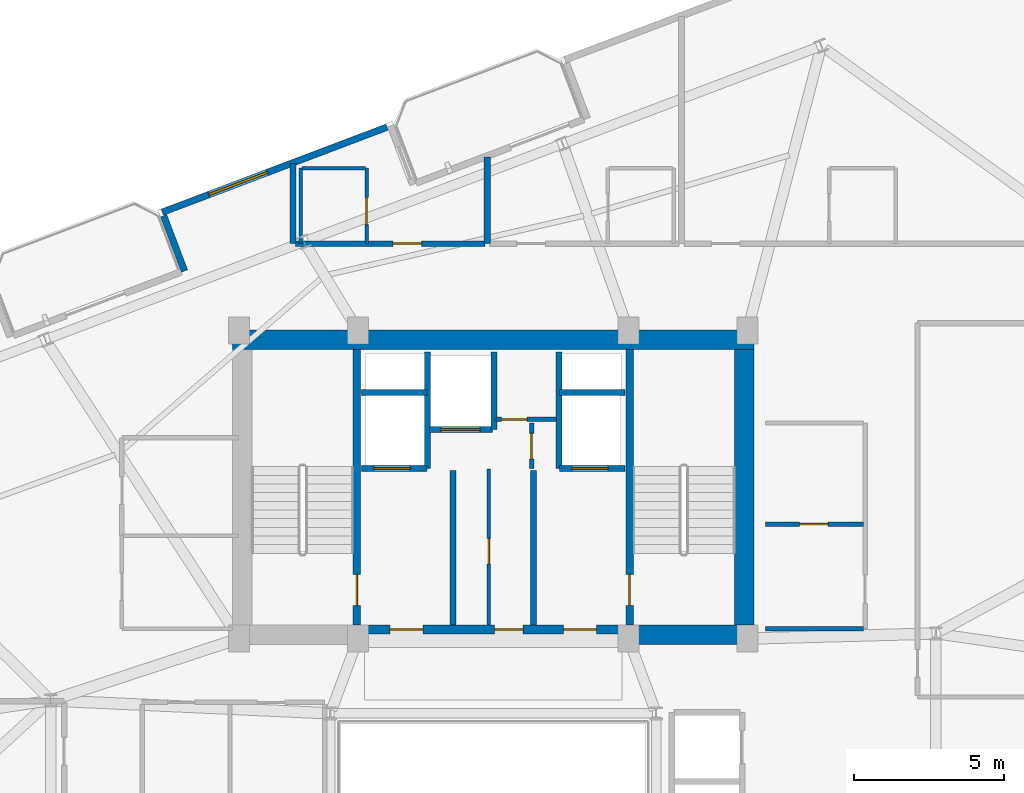
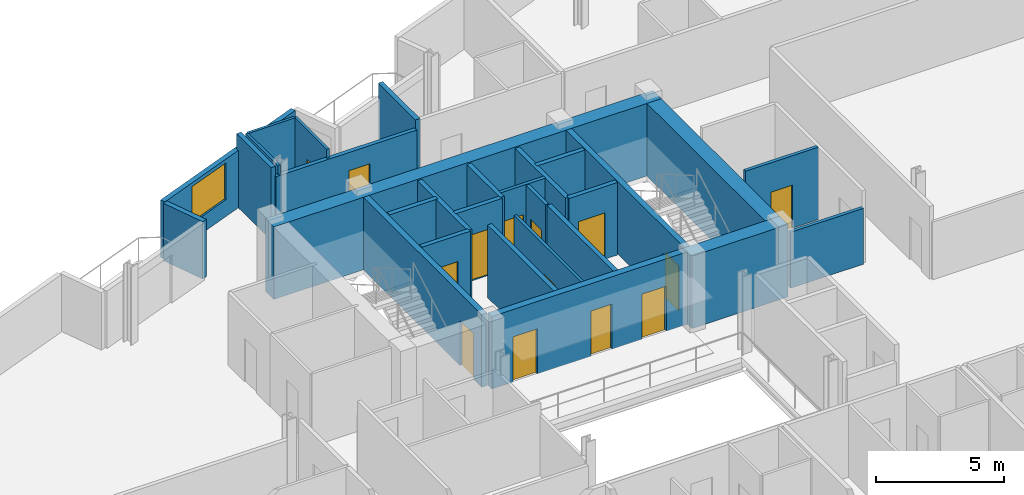
# One storey, part 16 of 20: 29 walls, 14 doors, 1 window, 15 openings.
"""IFC4 building model written with IfcOpenShell, lengths in metres."""

from ifc_helpers import new_model, si_unit, direction, frame, frame_2d, origin, place, context, subcontext, project, spatial, rectangle, extrude, material, layer, layer_set, type_object, element, fill, save


model = new_model("IFC4")

# Units and contexts
model_context = context("Model", 3, precision=1e-05, world=origin(), true_north=direction((0.0, 1.0)))
body_context = subcontext(model_context, "Body", "Model", "MODEL_VIEW")
ifc_project = project(units=[si_unit("LENGTHUNIT", "METRE"), si_unit("AREAUNIT", "SQUARE_METRE"), si_unit("VOLUMEUNIT", "CUBIC_METRE"), si_unit("PLANEANGLEUNIT", "RADIAN"), si_unit("MASSUNIT", "GRAM", prefix="KILO")], contexts=[model_context])

# Site, building, storey
site_placement = place(None, origin())
site = spatial("IfcSite", under=ifc_project, at=site_placement, CompositionType="ELEMENT")
building_placement = place(site_placement, origin())
building = spatial("IfcBuilding", under=site, at=building_placement, Name="Varnelok Gate Tower", CompositionType="ELEMENT")
storey_placement = place(building_placement, frame((0.0, 0.0, 238.60009765625)))
storey = spatial("IfcBuildingStorey", under=building, at=storey_placement, Name="L61", CompositionType="ELEMENT", Elevation=238.60009765625)

# Wall, opening, window
ifc_material_1 = material(Name="Concrete C45/55", Category="concrete")
ifc_layer_1 = layer(ifc_material_1, 0.219970703125)
ifc_layer_set_1 = layer_set([ifc_layer_1], Name="Concrete C45/55")
wall_type_1 = type_object("IfcWallType", Name="EW-BALC-220", PredefinedType="SOLIDWALL", material=ifc_layer_set_1)
wall_1_placement = place(storey_placement, frame((35.647705078125, 45.853515625, 0.0), z_axis=(0.0, 0.0, 1.0), x_axis=(-0.935230796934, -0.354038636968, 0.0)))
wall_1 = element("IfcWall", 1, at=wall_1_placement, inside=storey, type_object=wall_type_1, Name="L61 Perimeter Facade Closure Wall 29", PredefinedType="SOLIDWALL", context=body_context, shape_type="SweptSolid", body=[
    extrude(rectangle(XDim=8.03515625, YDim=0.219970703125, at=frame_2d((4.017578125, 0.0))), origin(), (0.0, 0.0, 1.0), 2.72998046875),
])
opening_1_placement = place(wall_1_placement, frame((4.273193359375, 0.0, 0.800048828125)))
opening_1 = element("IfcOpeningElement", 2, at=opening_1_placement, cuts=wall_1, Name="Opening WN4", PredefinedType="OPENING", context=body_context, shape_type="SweptSolid", body=[
    extrude(rectangle(XDim=2.10009765625, YDim=1.75, at=frame_2d((1.050048828125, 0.875))), frame((0.0, 0.119873046875, 0.0), z_axis=(0.0, -1.0, 0.0), x_axis=(1.0, 0.0, 0.0)), (0.0, 0.0, 1.0), 0.239990234375),
])
ifc_material_2 = material(Name="Low-E Laminated Double Glazing IGU", Category="glass")
window_type = type_object("IfcWindowType", Name="WN-SUI-2100", PartitioningType="SINGLE_PANEL", PredefinedType="WINDOW", material=ifc_material_2)
window_placement = place(opening_1_placement, origin())
window = element("IfcWindow", 3, at=window_placement, inside=storey, type_object=window_type, Name="L61 Perimeter Vision Window 29", OverallHeight=1.75, OverallWidth=2.10009765625, PartitioningType="SINGLE_PANEL", PredefinedType="WINDOW", context=body_context, shape_type="SweptSolid", body=[
    extrude(rectangle(XDim=2.10009765625, YDim=1.75, at=frame_2d((1.050048828125, 0.875))), frame((0.0, 0.030029296875, 0.0), z_axis=(0.0, -1.0, 0.0), x_axis=(1.0, 0.0, 0.0)), (0.0, 0.0, 1.0), 0.06005859375),
])
fill(opening_1, window)

# Wall
wall_2_placement = place(storey_placement, frame((28.177490234375, 42.891845703125, 0.0), z_axis=(0.0, 0.0, 1.0), x_axis=(0.354061611705, -0.935222099352, 0.0)))
element("IfcWall", 4, at=wall_2_placement, inside=storey, type_object=wall_type_1, Name="L61 Perimeter Facade Closure Wall 30", PredefinedType="SOLIDWALL", context=body_context, shape_type="SweptSolid", body=[
    extrude(rectangle(XDim=1.974853515625, YDim=0.219970703125, at=frame_2d((0.9873046875, 0.0))), origin(), (0.0, 0.0, 1.0), 2.72998046875),
])

# Wall, opening, door
ifc_material_3 = material(Name="Gypsum Plasterboard Acoustic Partition", Category="gypsum")
ifc_layer_2 = layer(ifc_material_3, 0.179931640625)
ifc_layer_set_2 = layer_set([ifc_layer_2], Name="Gypsum Plasterboard Acoustic Partition")
wall_type_2 = type_object("IfcWallType", Name="PW-CORR-180", PredefinedType="PARTITIONING", material=ifc_layer_set_2)
wall_3_placement = place(storey_placement, frame((32.580078125, 41.9599609375, 0.0), z_axis=(0.0, 0.0, 1.0), x_axis=(1.0, 0.0, 0.0)))
wall_3 = element("IfcWall", 5, at=wall_3_placement, inside=storey, type_object=wall_type_2, Name="Interior Partition", PredefinedType="PARTITIONING", context=body_context, shape_type="SweptSolid", body=[
    extrude(rectangle(XDim=6.33984375, YDim=0.179931640625, at=frame_2d((3.169921875, 0.0))), origin(), (0.0, 0.0, 1.0), 3.017822265625),
])
opening_2_placement = place(wall_3_placement, frame((3.273681640625, 0.0, 0.0)))
opening_2 = element("IfcOpeningElement", 6, at=opening_2_placement, cuts=wall_3, Name="Opening D-HT", PredefinedType="OPENING", context=body_context, shape_type="SweptSolid", body=[
    extrude(rectangle(XDim=0.949951171875, YDim=2.14990234375, at=frame_2d((0.47509765625, 1.074951171875))), frame((0.0, 0.099853515625, 0.0), z_axis=(0.0, -1.0, 0.0), x_axis=(1.0, 0.0, 0.0)), (0.0, 0.0, 1.0), 0.199951171875),
])
ifc_material_4 = material(Name="Engineered Hardwood Timber", Category="wood")
door_type_1 = type_object("IfcDoorType", Name="DR-HTL-950", OperationType="NOTDEFINED", PredefinedType="DOOR", material=ifc_material_4)
door_1_placement = place(opening_2_placement, origin())
door_1 = element("IfcDoor", 7, at=door_1_placement, inside=storey, type_object=door_type_1, Name="L61 Guest Room 08 Entrance Door", OperationType="SINGLE_SWING_LEFT", OverallHeight=2.14990234375, OverallWidth=0.949951171875, PredefinedType="DOOR", context=body_context, shape_type="SweptSolid", body=[
    extrude(rectangle(XDim=0.949951171875, YDim=2.14990234375, at=frame_2d((0.47509765625, 1.074951171875))), frame((0.0, 0.02490234375, 0.0), z_axis=(0.0, -1.0, 0.0), x_axis=(1.0, 0.0, 0.0)), (0.0, 0.0, 1.0), 0.050048828125),
])
fill(opening_2, door_1)

# Wall
ifc_layer_3 = layer(ifc_material_3, 0.114990234375)
ifc_layer_set_3 = layer_set([ifc_layer_3], Name="Gypsum Plasterboard Acoustic Partition")
wall_type_3 = type_object("IfcWallType", Name="PW-ENS-125", PredefinedType="PARTITIONING", material=ifc_layer_set_3)
wall_4_placement = place(storey_placement, frame((32.800048828125, 44.47998046875, 0.0), z_axis=(0.0, 0.0, 1.0), x_axis=(1.0, 0.0, 0.0)))
element("IfcWall", 8, at=wall_4_placement, inside=storey, type_object=wall_type_3, Name="Interior Partition", PredefinedType="PARTITIONING", context=body_context, shape_type="SweptSolid", body=[
    extrude(rectangle(XDim=2.1240234375, YDim=0.114990234375, at=frame_2d((1.06201171875, 0.0))), origin(), (0.0, 0.0, 1.0), 3.449951171875),
])

# Wall, opening, door
wall_5_placement = place(storey_placement, frame((34.964111328125, 41.9599609375, 0.0), z_axis=(0.0, 0.0, 1.0), x_axis=(0.0, 1.0, 0.0)))
wall_5 = element("IfcWall", 9, at=wall_5_placement, inside=storey, type_object=wall_type_3, Name="Interior Partition", PredefinedType="PARTITIONING", context=body_context, shape_type="SweptSolid", body=[
    extrude(rectangle(XDim=2.52001953125, YDim=0.114990234375, at=frame_2d((1.260009765625, 0.0))), origin(), (0.0, 0.0, 1.0), 3.449951171875),
])
opening_3_placement = place(wall_5_placement, frame((0.63818359375, 0.0, 0.0)))
opening_3 = element("IfcOpeningElement", 10, at=opening_3_placement, cuts=wall_5, Name="Opening D-WC", PredefinedType="OPENING", context=body_context, shape_type="SweptSolid", body=[
    extrude(rectangle(XDim=0.89990234375, YDim=2.050048828125, at=frame_2d((0.449951171875, 1.02490234375))), frame((0.0, 0.0673828125, 0.0), z_axis=(0.0, -1.0, 0.0), x_axis=(1.0, 0.0, 0.0)), (0.0, 0.0, 1.0), 0.135009765625),
])
door_type_2 = type_object("IfcDoorType", Name="DR-BATH-900", OperationType="NOTDEFINED", PredefinedType="DOOR", material=ifc_material_4)
door_2_placement = place(opening_3_placement, origin())
door_2 = element("IfcDoor", 11, at=door_2_placement, inside=storey, type_object=door_type_2, Name="L61 North En-Suite 08 Door", OperationType="SINGLE_SWING_RIGHT", OverallHeight=2.050048828125, OverallWidth=0.89990234375, PredefinedType="DOOR", context=body_context, shape_type="SweptSolid", body=[
    extrude(rectangle(XDim=0.89990234375, YDim=2.050048828125, at=frame_2d((0.449951171875, 1.02490234375))), frame((0.0, 0.02490234375, 0.0), z_axis=(0.0, -1.0, 0.0), x_axis=(1.0, 0.0, 0.0)), (0.0, 0.0, 1.0), 0.050048828125),
])
fill(opening_3, door_2)

# Wall
wall_6_placement = place(storey_placement, frame((32.760009765625, 41.9599609375, 0.0), z_axis=(0.0, 0.0, 1.0), x_axis=(0.0, 1.0, 0.0)))
element("IfcWall", 12, at=wall_6_placement, inside=storey, type_object=wall_type_3, Name="Interior Partition", PredefinedType="PARTITIONING", context=body_context, shape_type="SweptSolid", body=[
    extrude(rectangle(XDim=2.52001953125, YDim=0.114990234375, at=frame_2d((1.260009765625, 0.0))), origin(), (0.0, 0.0, 1.0), 3.449951171875),
])

# Wall, opening, door
ifc_layer_4 = layer(ifc_material_3, 0.125)
ifc_layer_set_4 = layer_set([ifc_layer_4], Name="Gypsum Plasterboard Acoustic Partition")
wall_type_4 = type_object("IfcWallType", Name="PW-PART-125", PredefinedType="PARTITIONING", material=ifc_layer_set_4)
wall_7_placement = place(storey_placement, frame((39.050048828125, 29.199951171875, 0.0), z_axis=(0.0, 0.0, 1.0), x_axis=(0.0, 1.0, 0.0)))
wall_7 = element("IfcWall", 13, at=wall_7_placement, inside=storey, type_object=wall_type_4, Name="Interior Partition", PredefinedType="PARTITIONING", context=body_context, shape_type="SweptSolid", body=[
    extrude(rectangle(XDim=5.219970703125, YDim=0.125, at=frame_2d((2.60986328125, 0.0))), origin(), (0.0, 0.0, 1.0), 3.449951171875),
])
opening_4_placement = place(wall_7_placement, frame((2.050048828125, 0.0, 0.0)))
opening_4 = element("IfcOpeningElement", 14, at=opening_4_placement, cuts=wall_7, Name="Opening D-RS", PredefinedType="OPENING", context=body_context, shape_type="SweptSolid", body=[
    extrude(rectangle(XDim=0.85009765625, YDim=2.050048828125, at=frame_2d((0.425048828125, 1.02490234375))), frame((0.0, 0.072509765625, 0.0), z_axis=(0.0, -1.0, 0.0), x_axis=(1.0, 0.0, 0.0)), (0.0, 0.0, 1.0), 0.14501953125),
])
ifc_material_5 = material(Name="Galvanized Steel Grade S350GD", Category="steel")
door_type_3 = type_object("IfcDoorType", Name="DR-RISER-850", OperationType="NOTDEFINED", PredefinedType="DOOR", material=ifc_material_5)
door_3_placement = place(opening_4_placement, origin())
door_3 = element("IfcDoor", 15, at=door_3_placement, inside=storey, type_object=door_type_3, Name="L61 Housekeeping Linen Door", OperationType="SINGLE_SWING_LEFT", OverallHeight=2.050048828125, OverallWidth=0.85009765625, PredefinedType="DOOR", context=body_context, shape_type="SweptSolid", body=[
    extrude(rectangle(XDim=0.85009765625, YDim=2.050048828125, at=frame_2d((0.425048828125, 1.02490234375))), frame((0.0, 0.02490234375, 0.0), z_axis=(0.0, -1.0, 0.0), x_axis=(1.0, 0.0, 0.0)), (0.0, 0.0, 1.0), 0.050048828125),
])
fill(opening_4, door_3)

ifc_layer_5 = layer(ifc_material_3, 0.14990234375)
ifc_layer_set_5 = layer_set([ifc_layer_5], Name="Gypsum Plasterboard Acoustic Partition")
wall_type_5 = type_object("IfcWallType", Name="PW-PART-150", PredefinedType="PARTITIONING", material=ifc_layer_set_5)
wall_8_placement = place(storey_placement, frame((39.300048828125, 36.080078125, 0.0), z_axis=(0.0, 0.0, 1.0), x_axis=(1.0, 0.0, 0.0)))
wall_8 = element("IfcWall", 16, at=wall_8_placement, inside=storey, type_object=wall_type_5, Name="L61 Electrical Closet South Wall", PredefinedType="PARTITIONING", context=body_context, shape_type="SweptSolid", body=[
    extrude(rectangle(XDim=2.02001953125, YDim=0.14990234375, at=frame_2d((1.010009765625, 0.0))), origin(), (0.0, 0.0, 1.0), 3.449951171875),
])
opening_5_placement = place(wall_8_placement, frame((0.179931640625, 0.0, 0.0)))
opening_5 = element("IfcOpeningElement", 17, at=opening_5_placement, cuts=wall_8, Name="Opening D-RS", PredefinedType="OPENING", context=body_context, shape_type="SweptSolid", body=[
    extrude(rectangle(XDim=0.85009765625, YDim=2.050048828125, at=frame_2d((0.425048828125, 1.02490234375))), frame((0.0, 0.0849609375, 0.0), z_axis=(0.0, -1.0, 0.0), x_axis=(1.0, 0.0, 0.0)), (0.0, 0.0, 1.0), 0.169921875),
])
door_4_placement = place(opening_5_placement, origin())
door_4 = element("IfcDoor", 18, at=door_4_placement, inside=storey, type_object=door_type_3, Name="L61 Electrical Closet Door", OperationType="SINGLE_SWING_RIGHT", OverallHeight=2.050048828125, OverallWidth=0.85009765625, PredefinedType="DOOR", context=body_context, shape_type="SweptSolid", body=[
    extrude(rectangle(XDim=0.85009765625, YDim=2.050048828125, at=frame_2d((0.425048828125, 1.02490234375))), frame((0.0, 0.02490234375, 0.0), z_axis=(0.0, -1.0, 0.0), x_axis=(1.0, 0.0, 0.0)), (0.0, 0.0, 1.0), 0.050048828125),
])
fill(opening_5, door_4)

wall_9_placement = place(storey_placement, frame((40.47998046875, 34.43994140625, 0.0), z_axis=(0.0, 0.0, 1.0), x_axis=(0.0, 1.0, 0.0)))
wall_9 = element("IfcWall", 19, at=wall_9_placement, inside=storey, type_object=wall_type_5, Name="L61 Telecoms Closet West Wall", PredefinedType="PARTITIONING", context=body_context, shape_type="SweptSolid", body=[
    extrude(rectangle(XDim=1.52001953125, YDim=0.14990234375, at=frame_2d((0.760009765625, 0.0))), origin(), (0.0, 0.0, 1.0), 3.449951171875),
])
opening_6_placement = place(wall_9_placement, frame((0.320068359375, 0.0, 0.0)))
opening_6 = element("IfcOpeningElement", 20, at=opening_6_placement, cuts=wall_9, Name="Opening D-RS", PredefinedType="OPENING", context=body_context, shape_type="SweptSolid", body=[
    extrude(rectangle(XDim=0.85009765625, YDim=2.050048828125, at=frame_2d((0.425048828125, 1.02490234375))), frame((0.0, 0.0849609375, 0.0), z_axis=(0.0, -1.0, 0.0), x_axis=(1.0, 0.0, 0.0)), (0.0, 0.0, 1.0), 0.169921875),
])
door_5_placement = place(opening_6_placement, origin())
door_5 = element("IfcDoor", 21, at=door_5_placement, inside=storey, type_object=door_type_3, Name="L61 Telecoms Closet Door", OperationType="SINGLE_SWING_LEFT", OverallHeight=2.050048828125, OverallWidth=0.85009765625, PredefinedType="DOOR", context=body_context, shape_type="SweptSolid", body=[
    extrude(rectangle(XDim=0.85009765625, YDim=2.050048828125, at=frame_2d((0.425048828125, 1.02490234375))), frame((0.0, 0.02490234375, 0.0), z_axis=(0.0, -1.0, 0.0), x_axis=(1.0, 0.0, 0.0)), (0.0, 0.0, 1.0), 0.050048828125),
])
fill(opening_6, door_5)

wall_10_placement = place(storey_placement, frame((48.300048828125, 32.580078125, 0.0), z_axis=(0.0, 0.0, 1.0), x_axis=(1.0, 0.0, 0.0)))
wall_10 = element("IfcWall", 22, at=wall_10_placement, inside=storey, type_object=wall_type_5, Name="Interior Partition", PredefinedType="PARTITIONING", context=body_context, shape_type="SweptSolid", body=[
    extrude(rectangle(XDim=3.280029296875, YDim=0.14990234375, at=frame_2d((1.64013671875, 0.0))), origin(), (0.0, 0.0, 1.0), 3.449951171875),
])
opening_7_placement = place(wall_10_placement, frame((1.14990234375, 0.0, 0.0)))
opening_7 = element("IfcOpeningElement", 23, at=opening_7_placement, cuts=wall_10, Name="Opening D-I2", PredefinedType="OPENING", context=body_context, shape_type="SweptSolid", body=[
    extrude(rectangle(XDim=0.949951171875, YDim=2.050048828125, at=frame_2d((0.47509765625, 1.02490234375))), frame((0.0, 0.0849609375, 0.0), z_axis=(0.0, -1.0, 0.0), x_axis=(1.0, 0.0, 0.0)), (0.0, 0.0, 1.0), 0.169921875),
])
door_type_4 = type_object("IfcDoorType", Name="DR-INT-950", OperationType="NOTDEFINED", PredefinedType="DOOR", material=ifc_material_4)
door_6_placement = place(opening_7_placement, origin())
door_6 = element("IfcDoor", 24, at=door_6_placement, inside=storey, type_object=door_type_4, Name="L61 Reclaimed Trunk Storage Door", OperationType="SINGLE_SWING_LEFT", OverallHeight=2.050048828125, OverallWidth=0.949951171875, PredefinedType="DOOR", context=body_context, shape_type="SweptSolid", body=[
    extrude(rectangle(XDim=0.949951171875, YDim=2.050048828125, at=frame_2d((0.47509765625, 1.02490234375))), frame((0.0, 0.02490234375, 0.0), z_axis=(0.0, -1.0, 0.0), x_axis=(1.0, 0.0, 0.0)), (0.0, 0.0, 1.0), 0.050048828125),
])
fill(opening_7, door_6)

# Walls
wall_11_placement = place(storey_placement, frame((48.300048828125, 29.080078125, 0.0), z_axis=(0.0, 0.0, 1.0), x_axis=(1.0, 0.0, 0.0)))
element("IfcWall", 25, at=wall_11_placement, inside=storey, type_object=wall_type_5, Name="Interior Partition", PredefinedType="PARTITIONING", context=body_context, shape_type="SweptSolid", body=[
    extrude(rectangle(XDim=3.280029296875, YDim=0.14990234375, at=frame_2d((1.64013671875, 0.0))), origin(), (0.0, 0.0, 1.0), 2.661865234375),
])
ifc_layer_6 = layer(ifc_material_3, 0.205078125)
ifc_layer_set_6 = layer_set([ifc_layer_6], Name="Gypsum Plasterboard Acoustic Partition")
wall_type_6 = type_object("IfcWallType", Name="PW-PARTY-200", PredefinedType="PARTITIONING", material=ifc_layer_set_6)
wall_12_placement = place(storey_placement, frame((32.5, 41.9599609375, 0.0), z_axis=(0.0, 0.0, 1.0), x_axis=(0.0, 1.0, 0.0)))
element("IfcWall", 26, at=wall_12_placement, inside=storey, type_object=wall_type_6, Name="L61 North Party Wall 1", PredefinedType="PARTITIONING", context=body_context, shape_type="SweptSolid", body=[
    extrude(rectangle(XDim=2.6806640625, YDim=0.205078125, at=frame_2d((1.34033203125, 0.0))), origin(), (0.0, 0.0, 1.0), 3.449951171875),
])
wall_13_placement = place(storey_placement, frame((39.0, 41.9599609375, 0.0), z_axis=(0.0, 0.0, 1.0), x_axis=(0.0, 1.0, 0.0)))
element("IfcWall", 27, at=wall_13_placement, inside=storey, type_object=wall_type_6, Name="L61 North Party Wall 2", PredefinedType="PARTITIONING", context=body_context, shape_type="SweptSolid", body=[
    extrude(rectangle(XDim=2.89599609375, YDim=0.205078125, at=frame_2d((1.447998046875, 0.0))), origin(), (0.0, 0.0, 1.0), 3.449951171875),
])
ifc_material_6 = material(Name="Concrete C35/45", Category="concrete")
ifc_layer_7 = layer(ifc_material_6, 0.199951171875)
ifc_layer_set_7 = layer_set([ifc_layer_7], Name="Concrete C35/45")
wall_type_7 = type_object("IfcWallType", Name="PW-SHAFT-200", PredefinedType="PARTITIONING", material=ifc_layer_set_7)
for number, where, z_axis, x_axis, name in (
    (28, (37.860107421875, 29.199951171875, 0.0), (0.0, 0.0, 1.0), (0.0, 1.0, 0.0), "L61 West FF Lobby Rated Wall"),
    (29, (40.5400390625, 29.199951171875, 0.0), (0.0, 0.0, 1.0), (0.0, 1.0, 0.0), "L61 East FF Lobby Rated Wall"),
):
    element("IfcWall", number, at=place(storey_placement, frame(where, z_axis=z_axis, x_axis=x_axis)), inside=storey, type_object=wall_type_7, Name=name, PredefinedType="PARTITIONING", context=body_context, shape_type="SweptSolid", body=[
        extrude(rectangle(XDim=5.179931640625, YDim=0.199951171875, at=frame_2d((2.58984375, 0.0))), origin(), (0.0, 0.0, 1.0), 3.449951171875),
    ])

# Wall, opening, door
wall_14_placement = place(storey_placement, frame((34.800048828125, 34.43994140625, 0.0), z_axis=(0.0, 0.0, 1.0), x_axis=(1.0, 0.0, 0.0)))
wall_14 = element("IfcWall", 30, at=wall_14_placement, inside=storey, type_object=wall_type_7, Name="L61 FF1 Shaft Front Wall", PredefinedType="PARTITIONING", context=body_context, shape_type="SweptSolid", body=[
    extrude(rectangle(XDim=2.179931640625, YDim=0.199951171875, at=frame_2d((1.08984375, 0.0))), origin(), (0.0, 0.0, 1.0), 3.449951171875),
])
opening_8_placement = place(wall_14_placement, frame((0.419921875, 0.0, 0.0)))
opening_8 = element("IfcOpeningElement", 31, at=opening_8_placement, cuts=wall_14, Name="Opening LD-FF1", PredefinedType="OPENING", context=body_context, shape_type="SweptSolid", body=[
    extrude(rectangle(XDim=1.199951171875, YDim=2.199951171875, at=frame_2d((0.60009765625, 1.10009765625))), frame((0.0, 0.10986328125, 0.0), z_axis=(0.0, -1.0, 0.0), x_axis=(1.0, 0.0, 0.0)), (0.0, 0.0, 1.0), 0.219970703125),
])
door_type_5 = type_object("IfcDoorType", Name="DR-LIFT-FF1200", OperationType="SLIDING_TO_LEFT", PredefinedType="DOOR", material=ifc_material_5)
door_7_placement = place(opening_8_placement, origin())
door_7 = element("IfcDoor", 32, at=door_7_placement, inside=storey, type_object=door_type_5, Name="L61 Firefighting Lift Landing Door LD-FF1", OperationType="SLIDING_TO_LEFT", OverallHeight=2.199951171875, OverallWidth=1.199951171875, PredefinedType="DOOR", context=body_context, shape_type="SweptSolid", body=[
    extrude(rectangle(XDim=1.199951171875, YDim=2.199951171875, at=frame_2d((0.60009765625, 1.10009765625))), frame((0.0, 0.02490234375, 0.0), z_axis=(0.0, -1.0, 0.0), x_axis=(1.0, 0.0, 0.0)), (0.0, 0.0, 1.0), 0.050048828125),
])
fill(opening_8, door_7)

# Walls
wall_15_placement = place(storey_placement, frame((34.800048828125, 36.97998046875, 0.0), z_axis=(0.0, 0.0, 1.0), x_axis=(1.0, 0.0, 0.0)))
element("IfcWall", 33, at=wall_15_placement, inside=storey, type_object=wall_type_7, Name="L61 FF1 Shaft North Wall", PredefinedType="PARTITIONING", context=body_context, shape_type="SweptSolid", body=[
    extrude(rectangle(XDim=2.179931640625, YDim=0.199951171875, at=frame_2d((1.08984375, 0.0))), origin(), (0.0, 0.0, 1.0), 3.449951171875),
])
wall_16_placement = place(storey_placement, frame((37.0, 34.43994140625, 0.0), z_axis=(0.0, 0.0, 1.0), x_axis=(0.0, 1.0, 0.0)))
element("IfcWall", 34, at=wall_16_placement, inside=storey, type_object=wall_type_7, Name="L61 FF1 Shaft Side Wall", PredefinedType="PARTITIONING", context=body_context, shape_type="SweptSolid", body=[
    extrude(rectangle(XDim=3.900146484375, YDim=0.199951171875, at=frame_2d((1.9501953125, 0.0))), origin(), (0.0, 0.0, 1.0), 3.449951171875),
])

# Wall, opening, door
wall_17_placement = place(storey_placement, frame((41.419921875, 34.43994140625, 0.0), z_axis=(0.0, 0.0, 1.0), x_axis=(1.0, 0.0, 0.0)))
wall_17 = element("IfcWall", 35, at=wall_17_placement, inside=storey, type_object=wall_type_7, Name="L61 FF2 Shaft Front Wall", PredefinedType="PARTITIONING", context=body_context, shape_type="SweptSolid", body=[
    extrude(rectangle(XDim=2.18017578125, YDim=0.199951171875, at=frame_2d((1.090087890625, 0.0))), origin(), (0.0, 0.0, 1.0), 3.449951171875),
])
opening_9_placement = place(wall_17_placement, frame((0.419921875, 0.0, 0.0)))
opening_9 = element("IfcOpeningElement", 36, at=opening_9_placement, cuts=wall_17, Name="Opening LD-FF2", PredefinedType="OPENING", context=body_context, shape_type="SweptSolid", body=[
    extrude(rectangle(XDim=1.199951171875, YDim=2.199951171875, at=frame_2d((0.60009765625, 1.10009765625))), frame((0.0, 0.10986328125, 0.0), z_axis=(0.0, -1.0, 0.0), x_axis=(1.0, 0.0, 0.0)), (0.0, 0.0, 1.0), 0.219970703125),
])
door_8_placement = place(opening_9_placement, origin())
door_8 = element("IfcDoor", 37, at=door_8_placement, inside=storey, type_object=door_type_5, Name="L61 Firefighting Lift Landing Door LD-FF2", OperationType="SLIDING_TO_LEFT", OverallHeight=2.199951171875, OverallWidth=1.199951171875, PredefinedType="DOOR", context=body_context, shape_type="SweptSolid", body=[
    extrude(rectangle(XDim=1.199951171875, YDim=2.199951171875, at=frame_2d((0.60009765625, 1.10009765625))), frame((0.0, 0.02490234375, 0.0), z_axis=(0.0, -1.0, 0.0), x_axis=(1.0, 0.0, 0.0)), (0.0, 0.0, 1.0), 0.050048828125),
])
fill(opening_9, door_8)

# Walls
wall_18_placement = place(storey_placement, frame((41.419921875, 36.97998046875, 0.0), z_axis=(0.0, 0.0, 1.0), x_axis=(1.0, 0.0, 0.0)))
element("IfcWall", 38, at=wall_18_placement, inside=storey, type_object=wall_type_7, Name="L61 FF2 Shaft North Wall", PredefinedType="PARTITIONING", context=body_context, shape_type="SweptSolid", body=[
    extrude(rectangle(XDim=2.18017578125, YDim=0.199951171875, at=frame_2d((1.090087890625, 0.0))), origin(), (0.0, 0.0, 1.0), 3.449951171875),
])
wall_19_placement = place(storey_placement, frame((41.39990234375, 34.43994140625, 0.0), z_axis=(0.0, 0.0, 1.0), x_axis=(0.0, 1.0, 0.0)))
element("IfcWall", 39, at=wall_19_placement, inside=storey, type_object=wall_type_7, Name="L61 FF2 Shaft Side Wall", PredefinedType="PARTITIONING", context=body_context, shape_type="SweptSolid", body=[
    extrude(rectangle(XDim=3.900146484375, YDim=0.199951171875, at=frame_2d((1.9501953125, 0.0))), origin(), (0.0, 0.0, 1.0), 3.449951171875),
])

# Wall, opening, door
wall_20_placement = place(storey_placement, frame((37.06005859375, 35.75, 0.0), z_axis=(0.0, 0.0, 1.0), x_axis=(1.0, 0.0, 0.0)))
wall_20 = element("IfcWall", 40, at=wall_20_placement, inside=storey, type_object=wall_type_7, Name="L61 SV1 Shaft Front Wall", PredefinedType="PARTITIONING", context=body_context, shape_type="SweptSolid", body=[
    extrude(rectangle(XDim=2.119873046875, YDim=0.199951171875, at=frame_2d((1.06005859375, 0.0))), origin(), (0.0, 0.0, 1.0), 3.449951171875),
])
opening_10_placement = place(wall_20_placement, frame((0.39990234375, 0.0, 0.0)))
opening_10 = element("IfcOpeningElement", 41, at=opening_10_placement, cuts=wall_20, Name="Opening LD-SV1", PredefinedType="OPENING", context=body_context, shape_type="SweptSolid", body=[
    extrude(rectangle(XDim=1.300048828125, YDim=2.199951171875, at=frame_2d((0.64990234375, 1.10009765625))), frame((0.0, 0.10986328125, 0.0), z_axis=(0.0, -1.0, 0.0), x_axis=(1.0, 0.0, 0.0)), (0.0, 0.0, 1.0), 0.219970703125),
])
door_type_6 = type_object("IfcDoorType", Name="DR-LIFT-SV1300", OperationType="SLIDING_TO_LEFT", PredefinedType="DOOR", material=ifc_material_5)
door_9_placement = place(opening_10_placement, origin())
door_9 = element("IfcDoor", 42, at=door_9_placement, inside=storey, type_object=door_type_6, Name="L61 Service Lift Landing Door LD-SV1", OperationType="SLIDING_TO_LEFT", OverallHeight=2.199951171875, OverallWidth=1.300048828125, PredefinedType="DOOR", context=body_context, shape_type="SweptSolid", body=[
    extrude(rectangle(XDim=1.300048828125, YDim=2.199951171875, at=frame_2d((0.64990234375, 1.10009765625))), frame((0.0, 0.02490234375, 0.0), z_axis=(0.0, -1.0, 0.0), x_axis=(1.0, 0.0, 0.0)), (0.0, 0.0, 1.0), 0.050048828125),
])
fill(opening_10, door_9)

# Walls
wall_21_placement = place(storey_placement, frame((39.219970703125, 35.75, 0.0), z_axis=(0.0, 0.0, 1.0), x_axis=(0.0, 1.0, 0.0)))
element("IfcWall", 43, at=wall_21_placement, inside=storey, type_object=wall_type_7, Name="L61 SV1 Shaft East Wall", PredefinedType="PARTITIONING", context=body_context, shape_type="SweptSolid", body=[
    extrude(rectangle(XDim=2.590087890625, YDim=0.199951171875, at=frame_2d((1.294921875, 0.0))), origin(), (0.0, 0.0, 1.0), 3.449951171875),
])
ifc_material_7 = material(Name="Concrete C60/75", Category="concrete")
ifc_layer_8 = layer(ifc_material_7, 0.64990234375)
ifc_layer_set_8 = layer_set([ifc_layer_8], Name="Concrete C60/75")
wall_type_8 = type_object("IfcWallType", Name="SW-CORE-650", PredefinedType="SHEAR", material=ifc_layer_set_8)
wall_22_placement = place(storey_placement, frame((30.47998046875, 38.7451171875, 0.0), z_axis=(0.0, 0.0, 1.0), x_axis=(1.0, 0.0, 0.0)))
element("IfcWall", 44, at=wall_22_placement, inside=storey, type_object=wall_type_8, Name="L61 Rear Core North Shear Wall", PredefinedType="SHEAR", context=body_context, shape_type="SweptSolid", body=[
    extrude(rectangle(XDim=17.43994140625, YDim=0.64990234375, at=frame_2d((8.719970703125, 0.0))), origin(), (0.0, 0.0, 1.0), 3.449951171875),
])
wall_23_placement = place(storey_placement, frame((47.594970703125, 29.199951171875, 0.0), z_axis=(0.0, 0.0, 1.0), x_axis=(0.0, 1.0, 0.0)))
element("IfcWall", 45, at=wall_23_placement, inside=storey, type_object=wall_type_8, Name="L61 Rear Core East Shear Wall", PredefinedType="SHEAR", context=body_context, shape_type="SweptSolid", body=[
    extrude(rectangle(XDim=9.219970703125, YDim=0.64990234375, at=frame_2d((4.60986328125, 0.0))), origin(), (0.0, 0.0, 1.0), 3.449951171875),
])
wall_24_placement = place(storey_placement, frame((43.60009765625, 28.875, 0.0), z_axis=(0.0, 0.0, 1.0), x_axis=(1.0, 0.0, 0.0)))
element("IfcWall", 46, at=wall_24_placement, inside=storey, type_object=wall_type_8, Name="L61 Rear Core South-East Shear Wall", PredefinedType="SHEAR", context=body_context, shape_type="SweptSolid", body=[
    extrude(rectangle(XDim=4.31982421875, YDim=0.64990234375, at=frame_2d((2.159912109375, 0.0))), origin(), (0.0, 0.0, 1.0), 3.449951171875),
])

# Wall, opening, door
ifc_layer_9 = layer(ifc_material_7, 0.25)
ifc_layer_set_9 = layer_set([ifc_layer_9], Name="Concrete C60/75")
wall_type_9 = type_object("IfcWallType", Name="SW-SHAFT-250", PredefinedType="SHEAR", material=ifc_layer_set_9)
wall_25_placement = place(storey_placement, frame((34.639892578125, 29.199951171875, 0.0), z_axis=(0.0, 0.0, 1.0), x_axis=(0.0, 1.0, 0.0)))
wall_25 = element("IfcWall", 47, at=wall_25_placement, inside=storey, type_object=wall_type_9, Name="L61 Stair ST-1 East Shear Wall", PredefinedType="SHEAR", context=body_context, shape_type="SweptSolid", body=[
    extrude(rectangle(XDim=9.219970703125, YDim=0.25, at=frame_2d((4.60986328125, 0.0))), origin(), (0.0, 0.0, 1.0), 3.449951171875),
])
opening_11_placement = place(wall_25_placement, frame((0.64990234375, 0.0, 0.0)))
opening_11 = element("IfcOpeningElement", 48, at=opening_11_placement, cuts=wall_25, Name="Opening D-ST", PredefinedType="OPENING", context=body_context, shape_type="SweptSolid", body=[
    extrude(rectangle(XDim=1.050048828125, YDim=2.14990234375, at=frame_2d((0.52490234375, 1.074951171875))), frame((0.0, 0.135009765625, 0.0), z_axis=(0.0, -1.0, 0.0), x_axis=(1.0, 0.0, 0.0)), (0.0, 0.0, 1.0), 0.27001953125),
])
door_type_7 = type_object("IfcDoorType", Name="DR-STAIR-1050", OperationType="NOTDEFINED", PredefinedType="DOOR", material=ifc_material_5)
door_10_placement = place(opening_11_placement, origin())
door_10 = element("IfcDoor", 49, at=door_10_placement, inside=storey, type_object=door_type_7, Name="L61 Exit Stair ST-1 Fire Door", OperationType="SINGLE_SWING_LEFT", OverallHeight=2.14990234375, OverallWidth=1.050048828125, PredefinedType="DOOR", context=body_context, shape_type="SweptSolid", body=[
    extrude(rectangle(XDim=1.050048828125, YDim=2.14990234375, at=frame_2d((0.52490234375, 1.074951171875))), frame((0.0, 0.02490234375, 0.0), z_axis=(0.0, -1.0, 0.0), x_axis=(1.0, 0.0, 0.0)), (0.0, 0.0, 1.0), 0.050048828125),
])
fill(opening_11, door_10)

wall_26_placement = place(storey_placement, frame((43.760009765625, 29.199951171875, 0.0), z_axis=(0.0, 0.0, 1.0), x_axis=(0.0, 1.0, 0.0)))
wall_26 = element("IfcWall", 50, at=wall_26_placement, inside=storey, type_object=wall_type_9, Name="L61 Stair ST-2 West Shear Wall", PredefinedType="SHEAR", context=body_context, shape_type="SweptSolid", body=[
    extrude(rectangle(XDim=9.219970703125, YDim=0.25, at=frame_2d((4.60986328125, 0.0))), origin(), (0.0, 0.0, 1.0), 3.449951171875),
])
opening_12_placement = place(wall_26_placement, frame((0.64990234375, 0.0, 0.0)))
opening_12 = element("IfcOpeningElement", 51, at=opening_12_placement, cuts=wall_26, Name="Opening D-ST", PredefinedType="OPENING", context=body_context, shape_type="SweptSolid", body=[
    extrude(rectangle(XDim=1.050048828125, YDim=2.14990234375, at=frame_2d((0.52490234375, 1.074951171875))), frame((0.0, 0.135009765625, 0.0), z_axis=(0.0, -1.0, 0.0), x_axis=(1.0, 0.0, 0.0)), (0.0, 0.0, 1.0), 0.27001953125),
])
door_11_placement = place(opening_12_placement, origin())
door_11 = element("IfcDoor", 52, at=door_11_placement, inside=storey, type_object=door_type_7, Name="L61 Exit Stair ST-2 Fire Door", OperationType="SINGLE_SWING_RIGHT", OverallHeight=2.14990234375, OverallWidth=1.050048828125, PredefinedType="DOOR", context=body_context, shape_type="SweptSolid", body=[
    extrude(rectangle(XDim=1.050048828125, YDim=2.14990234375, at=frame_2d((0.52490234375, 1.074951171875))), frame((0.0, 0.02490234375, 0.0), z_axis=(0.0, -1.0, 0.0), x_axis=(1.0, 0.0, 0.0)), (0.0, 0.0, 1.0), 0.050048828125),
])
fill(opening_12, door_11)

# Wall, openings, doors
ifc_layer_10 = layer(ifc_material_7, 0.300048828125)
ifc_layer_set_10 = layer_set([ifc_layer_10], Name="Concrete C60/75")
wall_type_10 = type_object("IfcWallType", Name="SW-SHAFT-300", PredefinedType="SHEAR", material=ifc_layer_set_10)
wall_27_placement = place(storey_placement, frame((34.800048828125, 29.050048828125, 0.0), z_axis=(0.0, 0.0, 1.0), x_axis=(1.0, 0.0, 0.0)))
wall_27 = element("IfcWall", 53, at=wall_27_placement, inside=storey, type_object=wall_type_10, Name="L61 Rear Core Central Lobby Shear Wall", PredefinedType="SHEAR", context=body_context, shape_type="SweptSolid", body=[
    extrude(rectangle(XDim=8.800048828125, YDim=0.300048828125, at=frame_2d((4.39990234375, 0.0))), origin(), (0.0, 0.0, 1.0), 3.449951171875),
])
opening_13_placement = place(wall_27_placement, frame((0.949951171875, 0.0, 0.0)))
opening_13 = element("IfcOpeningElement", 54, at=opening_13_placement, cuts=wall_27, Name="Opening D-FF", PredefinedType="OPENING", context=body_context, shape_type="SweptSolid", body=[
    extrude(rectangle(XDim=1.10009765625, YDim=2.14990234375, at=frame_2d((0.550048828125, 1.074951171875))), frame((0.0, 0.159912109375, 0.0), z_axis=(0.0, -1.0, 0.0), x_axis=(1.0, 0.0, 0.0)), (0.0, 0.0, 1.0), 0.320068359375),
])
opening_14_placement = place(wall_27_placement, frame((6.75, 0.0, 0.0)))
opening_14 = element("IfcOpeningElement", 55, at=opening_14_placement, cuts=wall_27, Name="Opening D-FF", PredefinedType="OPENING", context=body_context, shape_type="SweptSolid", body=[
    extrude(rectangle(XDim=1.10009765625, YDim=2.14990234375, at=frame_2d((0.550048828125, 1.074951171875))), frame((0.0, 0.159912109375, 0.0), z_axis=(0.0, -1.0, 0.0), x_axis=(1.0, 0.0, 0.0)), (0.0, 0.0, 1.0), 0.320068359375),
])
opening_15_placement = place(wall_27_placement, frame((4.449951171875, 0.0, 0.0)))
opening_15 = element("IfcOpeningElement", 56, at=opening_15_placement, cuts=wall_27, Name="Opening D-CR", PredefinedType="OPENING", context=body_context, shape_type="SweptSolid", body=[
    extrude(rectangle(XDim=0.949951171875, YDim=2.14990234375, at=frame_2d((0.47509765625, 1.074951171875))), frame((0.0, 0.159912109375, 0.0), z_axis=(0.0, -1.0, 0.0), x_axis=(1.0, 0.0, 0.0)), (0.0, 0.0, 1.0), 0.320068359375),
])
door_type_8 = type_object("IfcDoorType", Name="DR-CORR-950", OperationType="NOTDEFINED", PredefinedType="DOOR", material=ifc_material_5)
door_12_placement = place(opening_15_placement, origin())
door_12 = element("IfcDoor", 57, at=door_12_placement, inside=storey, type_object=door_type_8, Name="L61 Core Service Passage Door", OperationType="SINGLE_SWING_LEFT", OverallHeight=2.14990234375, OverallWidth=0.949951171875, PredefinedType="DOOR", context=body_context, shape_type="SweptSolid", body=[
    extrude(rectangle(XDim=0.949951171875, YDim=2.14990234375, at=frame_2d((0.47509765625, 1.074951171875))), frame((0.0, 0.02490234375, 0.0), z_axis=(0.0, -1.0, 0.0), x_axis=(1.0, 0.0, 0.0)), (0.0, 0.0, 1.0), 0.050048828125),
])
fill(opening_15, door_12)
door_type_9 = type_object("IfcDoorType", Name="DR-FFLOB-1100", OperationType="NOTDEFINED", PredefinedType="DOOR", material=ifc_material_5)
door_13_placement = place(opening_13_placement, origin())
door_13 = element("IfcDoor", 58, at=door_13_placement, inside=storey, type_object=door_type_9, Name="L61 West Firefighting Lobby Fire Door", OperationType="SINGLE_SWING_RIGHT", OverallHeight=2.14990234375, OverallWidth=1.10009765625, PredefinedType="DOOR", context=body_context, shape_type="SweptSolid", body=[
    extrude(rectangle(XDim=1.10009765625, YDim=2.14990234375, at=frame_2d((0.550048828125, 1.074951171875))), frame((0.0, 0.02490234375, 0.0), z_axis=(0.0, -1.0, 0.0), x_axis=(1.0, 0.0, 0.0)), (0.0, 0.0, 1.0), 0.050048828125),
])
fill(opening_13, door_13)
door_14_placement = place(opening_14_placement, origin())
door_14 = element("IfcDoor", 59, at=door_14_placement, inside=storey, type_object=door_type_9, Name="L61 East Firefighting Lobby Fire Door", OperationType="SINGLE_SWING_LEFT", OverallHeight=2.14990234375, OverallWidth=1.10009765625, PredefinedType="DOOR", context=body_context, shape_type="SweptSolid", body=[
    extrude(rectangle(XDim=1.10009765625, YDim=2.14990234375, at=frame_2d((0.550048828125, 1.074951171875))), frame((0.0, 0.02490234375, 0.0), z_axis=(0.0, -1.0, 0.0), x_axis=(1.0, 0.0, 0.0)), (0.0, 0.0, 1.0), 0.050048828125),
])
fill(opening_14, door_14)

save(model, "model.ifc")
